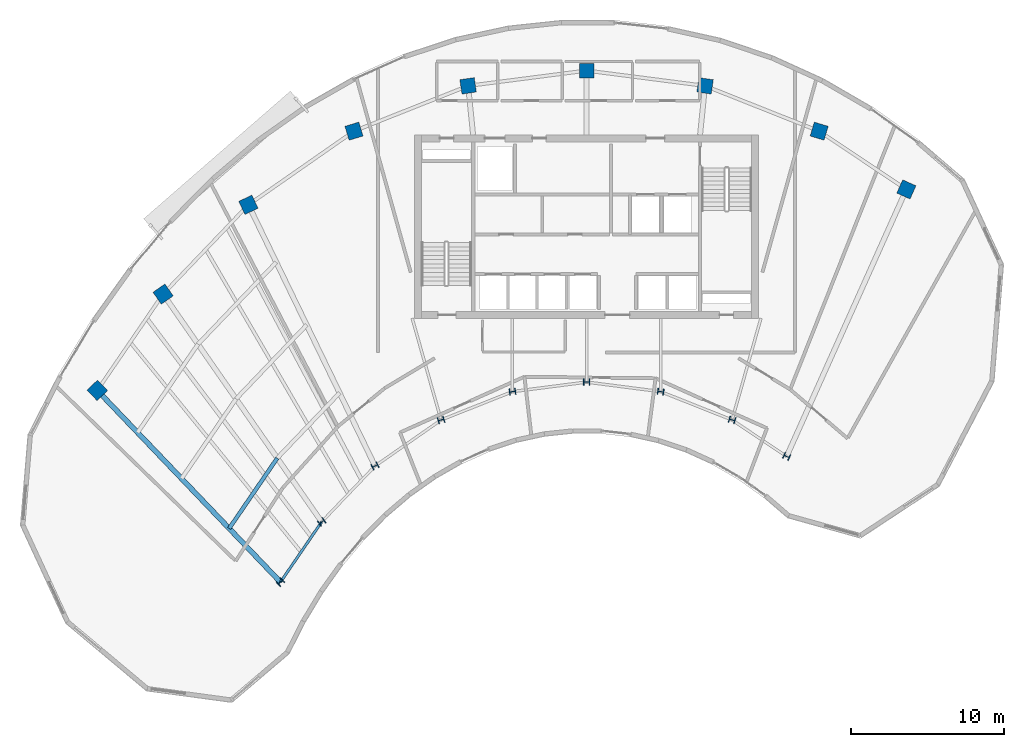
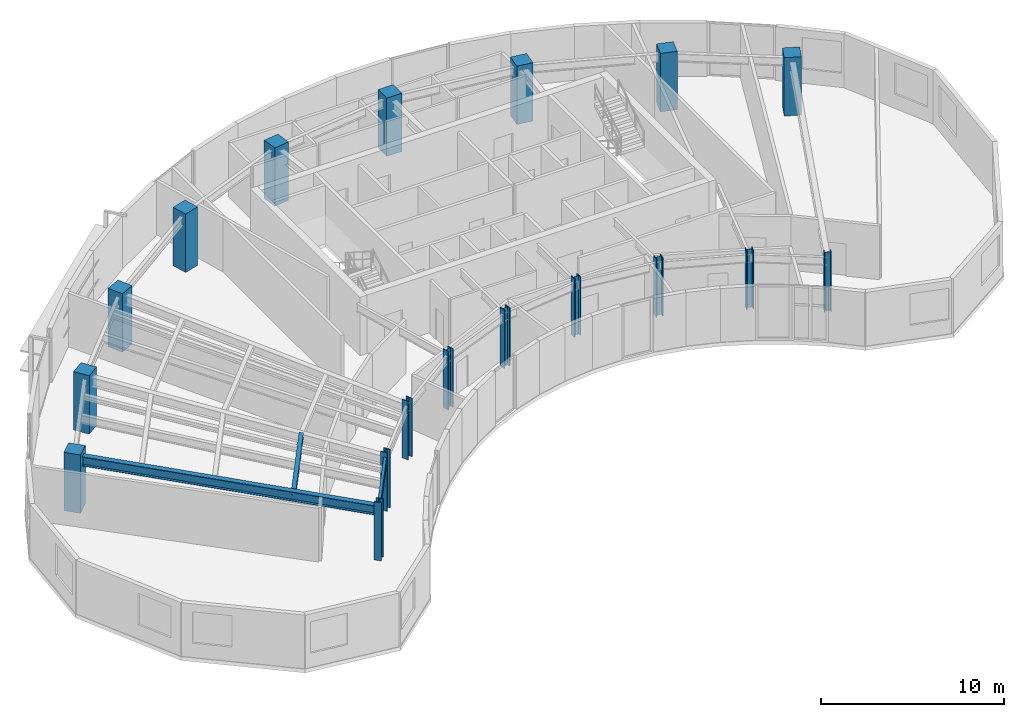
# One storey, part 1 of 12: 18 columns, 3 beams.
"""IFC4 building model written with IfcOpenShell, lengths in metres."""

from ifc_helpers import new_model, si_unit, direction, frame, origin, origin_2d, place, context, subcontext, project, spatial, rectangle, i_section, extrude, source, transform, mapped, material, material_profile, profile_set, type_object, type_shapes, element, save


model = new_model("IFC4")

# Units and contexts
model_context = context("Model", 3, precision=1e-05, world=origin(), true_north=direction((0.0, 1.0)))
body_context = subcontext(model_context, "Body", "Model", "MODEL_VIEW")
ifc_project = project(units=[si_unit("LENGTHUNIT", "METRE"), si_unit("AREAUNIT", "SQUARE_METRE"), si_unit("VOLUMEUNIT", "CUBIC_METRE"), si_unit("PLANEANGLEUNIT", "RADIAN"), si_unit("MASSUNIT", "GRAM", prefix="KILO")], contexts=[model_context])

# Site, building, storey
site_placement = place(None, origin())
site = spatial("IfcSite", under=ifc_project, at=site_placement, CompositionType="ELEMENT")
building_placement = place(site_placement, origin())
building = spatial("IfcBuilding", under=site, at=building_placement, Name="Breltana Convention Tower", CompositionType="ELEMENT")
storey_placement = place(building_placement, frame((0.0, 0.0, 250.800048828125)))
storey = spatial("IfcBuildingStorey", under=building, at=storey_placement, Name="L61", CompositionType="ELEMENT", Elevation=250.800048828125)

# Columns
ifc_material_1 = material(Name="Steel ASTM A992 Grade 50", Category="steel")
ifc_material_profile_1 = material_profile(ifc_material_1, i_section(OverallWidth=0.406005859375, OverallDepth=0.416015625, WebThickness=0.02978515625, FlangeThickness=0.048095703125, at=origin_2d()), Name="W14X257")
ifc_profile_set_1 = profile_set([ifc_material_profile_1], Name="Steel ASTM A992 Grade 50")
column_type_1 = type_object("IfcColumnType", Name="COL-STL-W14X257", PredefinedType="COLUMN", material=ifc_profile_set_1)
shared_shape_1 = source(origin(), body_context, "Body", "SweptSolid", [
    extrude(i_section(OverallWidth=0.406005859375, OverallDepth=0.416015625, WebThickness=0.02978515625, FlangeThickness=0.048095703125, at=origin_2d()), origin(), (0.0, 0.0, 1.0), 3.89990234375),
])
for number, where, z_axis, x_axis, name in (
    (1, (27.984619140625, 42.95458984375, 0.0), (0.0, 0.0, 1.0), (-0.690756218984, 0.723087716626, 0.0), "L61 Tower Column R01-IN"),
    (2, (30.67724609375, 46.892333984375, 0.0), (0.0, 0.0, 1.0), (-0.571143442153, 0.820850271661, 0.0), "L61 Tower Column R02-IN"),
    (3, (34.166259765625, 50.544921875, 0.0), (0.0, 0.0, 1.0), (-0.436173672171, 0.899862504889, 0.0), "L61 Tower Column R03-IN"),
    (4, (38.485107421875, 53.5576171875, 0.0), (0.0, 0.0, 1.0), (-0.288697611798, 0.957420330337, 0.0), "L61 Tower Column R04-IN"),
    (5, (43.153564453125, 55.41064453125, 0.0), (0.0, 0.0, 1.0), (-0.143492621991, 0.98965138682, 0.0), "L61 Tower Column R05-IN"),
    (6, (48.0, 56.035888671875, 0.0), (0.0, 0.0, 1.0), (0.0, 1.0, 0.0), "L61 Tower Column R06-IN"),
    (7, (52.846435546875, 55.41064453125, 0.0), (0.0, 0.0, 1.0), (0.143492621991, 0.98965138682, 0.0), "L61 Tower Column R07-IN"),
    (8, (57.514892578125, 53.5576171875, 0.0), (0.0, 0.0, 1.0), (0.288697611798, 0.957420330337, 0.0), "L61 Tower Column R08-IN"),
    (9, (61.08203125, 51.174560546875, 0.0), (0.0, 0.0, 1.0), (0.409126902895, 0.912477494148, 0.0), "L61 Tower Column R09-IN"),
):
    element("IfcColumn", number, at=place(storey_placement, frame(where, z_axis=z_axis, x_axis=x_axis)), inside=storey, type_object=column_type_1, Name=name, PredefinedType="COLUMN", context=body_context, shape_type="MappedRepresentation", body=[
        mapped(shared_shape_1, transform((0.0, 0.0, 0.0), scale=1.0)),
    ])
ifc_material_2 = material(Name="Concrete C50/60", Category="concrete")
ifc_material_profile_2 = material_profile(ifc_material_2, rectangle(XDim=0.949951171875, YDim=0.949951171875, at=origin_2d()), Name="RC-COL-950X950")
ifc_profile_set_2 = profile_set([ifc_material_profile_2], Name="Concrete C50/60")
column_type_2 = type_object("IfcColumnType", Name="COL-RC-950", PredefinedType="COLUMN", material=ifc_profile_set_2)
shared_shape_2 = source(origin(), body_context, "Body", "SweptSolid", [
    extrude(rectangle(XDim=0.949951171875, YDim=0.949951171875, at=origin_2d()), origin(), (0.0, 0.0, 1.0), 3.89990234375),
])
for number, where, z_axis, x_axis, name in (
    (10, (16.0068359375, 55.494384765625, 0.0), (0.0, 0.0, 1.0), (-0.690756218984, 0.723087716626, 0.0), "L61 Tower Column R01-OUT"),
    (11, (20.310791015625, 61.78857421875, 0.0), (0.0, 0.0, 1.0), (-0.571143442153, 0.820850271661, 0.0), "L61 Tower Column R02-OUT"),
    (12, (25.8876953125, 67.626953125, 0.0), (0.0, 0.0, 1.0), (-0.436173672171, 0.899862504889, 0.0), "L61 Tower Column R03-OUT"),
    (13, (32.791015625, 72.4423828125, 0.0), (0.0, 0.0, 1.0), (-0.288697611798, 0.957420330337, 0.0), "L61 Tower Column R04-OUT"),
    (14, (40.253173828125, 75.404296875, 0.0), (0.0, 0.0, 1.0), (-0.143492621991, 0.98965138682, 0.0), "L61 Tower Column R05-OUT"),
    (15, (48.0, 76.404052734375, 0.0), (0.0, 0.0, 1.0), (0.0, 1.0, 0.0), "L61 Tower Column R06-OUT"),
    (16, (55.746826171875, 75.404296875, 0.0), (0.0, 0.0, 1.0), (0.143492621991, 0.98965138682, 0.0), "L61 Tower Column R07-OUT"),
    (17, (63.208984375, 72.4423828125, 0.0), (0.0, 0.0, 1.0), (0.288697611798, 0.957420330337, 0.0), "L61 Tower Column R08-OUT"),
    (18, (68.910400390625, 68.63330078125, 0.0), (0.0, 0.0, 1.0), (0.409126902895, 0.912477494148, 0.0), "L61 Tower Column R09-OUT"),
):
    element("IfcColumn", number, at=place(storey_placement, frame(where, z_axis=z_axis, x_axis=x_axis)), inside=storey, type_object=column_type_2, Name=name, PredefinedType="COLUMN", context=body_context, shape_type="MappedRepresentation", body=[
        mapped(shared_shape_2, transform((0.0, 0.0, 0.0), scale=1.0)),
    ])

# Beams
ifc_material_profile_3 = material_profile(ifc_material_1, i_section(OverallWidth=0.166015625, OverallDepth=0.534912109375, WebThickness=0.01025390625, FlangeThickness=0.0166015625, at=origin_2d()), Name="W21X57")
ifc_profile_set_3 = profile_set([ifc_material_profile_3], Name="Steel ASTM A992 Grade 50")
beam_type_1 = type_object("IfcBeamType", Name="BM-BM-W21X57", PredefinedType="BEAM", material=ifc_profile_set_3)
shared_shape_3 = source(origin(), body_context, "Body", "SweptSolid", [
    extrude(i_section(OverallWidth=0.166015625, OverallDepth=0.534912109375, WebThickness=0.01025390625, FlangeThickness=0.0166015625, at=origin_2d()), origin(), (0.0, 0.0, 1.0), 4.770263671875),
])
beam_1_placement = place(storey_placement, frame((27.984619140625, 42.95458984375, 3.3125), z_axis=(0.564452719055, 0.82546540082, 0.0), x_axis=(-0.82546540082, 0.564452719055, 0.0)))
element("IfcBeam", 19, at=beam_1_placement, inside=storey, type_object=beam_type_1, Name="L61 Inner Ring Beam 01", PredefinedType="BEAM", context=body_context, shape_type="MappedRepresentation", body=[
    mapped(shared_shape_3, transform((0.0, 0.0, 0.0), scale=1.0)),
])
ifc_material_profile_4 = material_profile(ifc_material_1, i_section(OverallWidth=0.25390625, OverallDepth=0.305908203125, WebThickness=0.0087890625, FlangeThickness=0.0146484375, at=origin_2d()), Name="W12X53")
ifc_profile_set_4 = profile_set([ifc_material_profile_4], Name="Steel ASTM A992 Grade 50")
beam_type_2 = type_object("IfcBeamType", Name="BM-JSG-10", PredefinedType="JOIST", material=ifc_profile_set_4)
shared_shape_4 = source(origin(), body_context, "Body", "SweptSolid", [
    extrude(i_section(OverallWidth=0.25390625, OverallDepth=0.305908203125, WebThickness=0.0087890625, FlangeThickness=0.0146484375, at=origin_2d()), origin(), (0.0, 0.0, 1.0), 5.569580078125),
])
beam_2_placement = place(storey_placement, frame((24.630615234375, 46.4658203125, 3.427001953125), z_axis=(0.564493760458, 0.825437335237, 0.0), x_axis=(-0.825437335237, 0.564493760458, 0.0)))
element("IfcBeam", 20, at=beam_2_placement, inside=storey, type_object=beam_type_2, Name="L61 Composite Floor Joist 01.1", PredefinedType="JOIST", context=body_context, shape_type="MappedRepresentation", body=[
    mapped(shared_shape_4, transform((0.0, 0.0, 0.0), scale=1.0)),
])
ifc_material_profile_5 = material_profile(ifc_material_1, i_section(OverallWidth=0.326904296875, OverallDepth=0.6220703125, WebThickness=0.015380859375, FlangeThickness=0.0244140625, at=origin_2d()), Name="W24X131")
ifc_profile_set_5 = profile_set([ifc_material_profile_5], Name="Steel ASTM A992 Grade 50")
beam_type_3 = type_object("IfcBeamType", Name="BM-RG-W24X131", PredefinedType="USERDEFINED", material=ifc_profile_set_5)
shared_shape_5 = source(origin(), body_context, "Body", "SweptSolid", [
    extrude(i_section(OverallWidth=0.326904296875, OverallDepth=0.6220703125, WebThickness=0.015380859375, FlangeThickness=0.0244140625, at=origin_2d()), origin(), (0.0, 0.0, 1.0), 17.341064453125),
])
type_shapes(beam_type_3, [shared_shape_5])
beam_3_placement = place(storey_placement, frame((27.984619140625, 42.95458984375, 3.26904296875), z_axis=(-0.690716462293, 0.723125693581, 0.0), x_axis=(-0.723125693581, -0.690716462293, 0.0)))
element("IfcBeam", 21, at=beam_3_placement, inside=storey, type_object=beam_type_3, Name="L61 Radial Floor Girder R01", ObjectType="GIRDER", PredefinedType="USERDEFINED", context=body_context, shape_type="MappedRepresentation", body=[
    mapped(shared_shape_5, transform((0.0, 0.0, 0.0), scale=1.0)),
])

save(model, "model.ifc")
